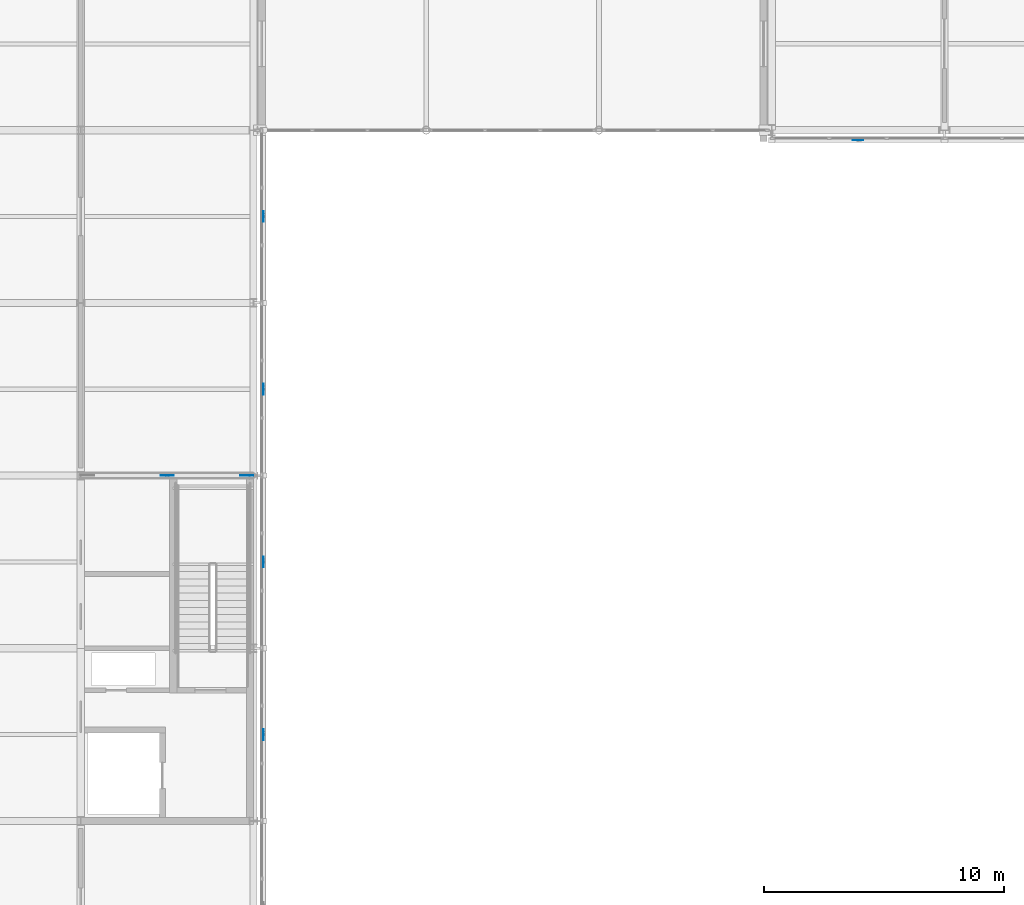
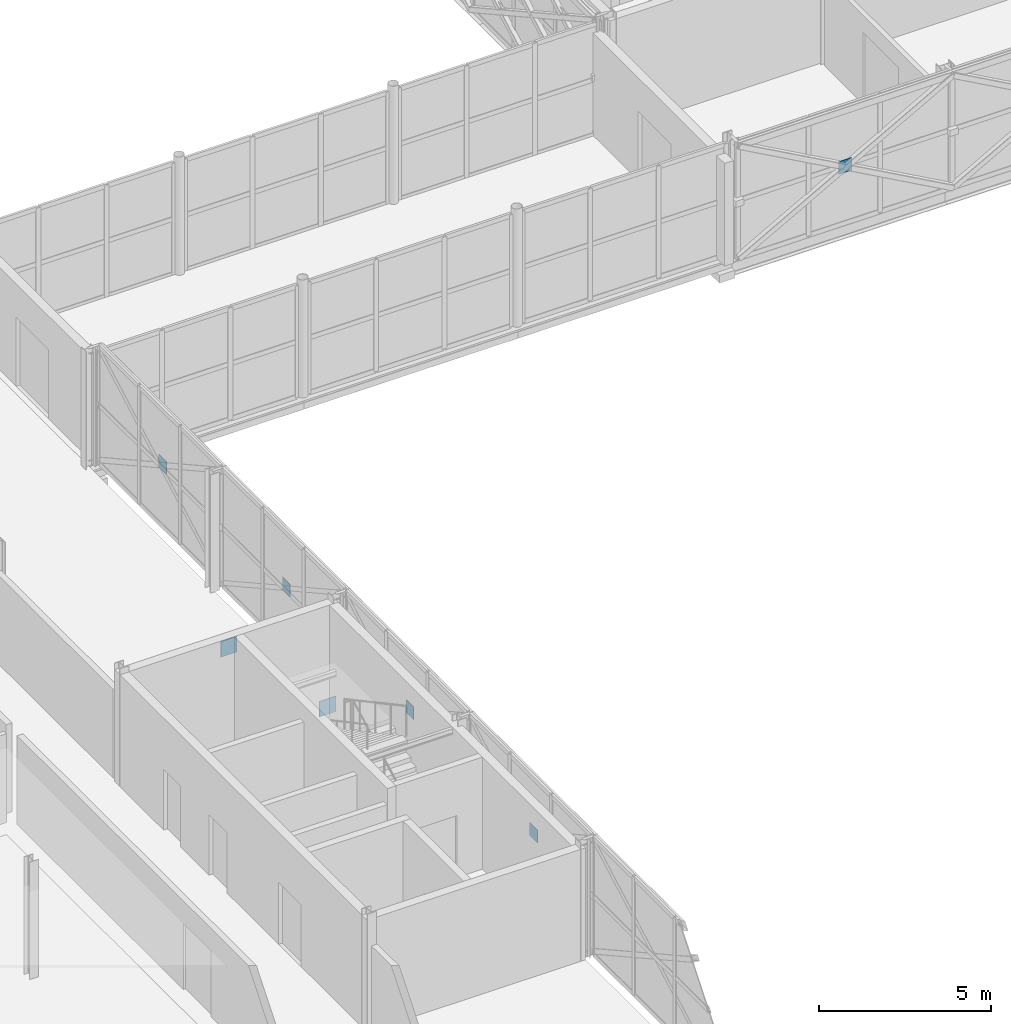
# One storey, part 106 of 146: 7 plates.
"""IFC4 building model written with IfcOpenShell, lengths in metres."""

from ifc_helpers import new_model, si_unit, direction, frame, origin, origin_2d, place, context, subcontext, project, spatial, rectangle, extrude, material, layer, layer_set, type_object, element, save


model = new_model("IFC4")

# Units and contexts
model_context = context("Model", 3, precision=1e-05, world=origin(), true_north=direction((0.0, 1.0)))
body_context = subcontext(model_context, "Body", "Model", "MODEL_VIEW")
ifc_project = project(units=[si_unit("LENGTHUNIT", "METRE"), si_unit("AREAUNIT", "SQUARE_METRE"), si_unit("VOLUMEUNIT", "CUBIC_METRE"), si_unit("PLANEANGLEUNIT", "RADIAN"), si_unit("MASSUNIT", "GRAM", prefix="KILO")], contexts=[model_context])

# Site, building, storey
site_placement = place(None, origin())
site = spatial("IfcSite", under=ifc_project, at=site_placement, CompositionType="ELEMENT")
building_placement = place(site_placement, origin())
building = spatial("IfcBuilding", under=site, at=building_placement, Name="Zlatovets Crest Museum", CompositionType="ELEMENT")
storey_placement = place(building_placement, frame((0.0, 0.0, 4.5)))
storey = spatial("IfcBuildingStorey", under=building, at=storey_placement, Name="L01", CompositionType="ELEMENT", Elevation=4.5)

# Plates
ifc_material = material(Name="Structural steel S355J2", Category="steel")
ifc_layer_1 = layer(ifc_material, 0.02490234375)
ifc_layer_set_1 = layer_set([ifc_layer_1], Name="Structural steel S355J2")
plate_type_1 = type_object("IfcPlateType", Name="Gusset_GP-01", PredefinedType="USERDEFINED", material=ifc_layer_set_1)
for number, where, z_axis, x_axis, name in (
    (1, (35.719970703125, 72.0, 0.0048828125), (0.0, 0.0, 1.0), (1.0, 0.0, 0.0), "V4 L01 Brace End Gusset Plate GP-01"),
    (2, (32.39990234375, 72.0, 3.294921875), (0.0, 0.0, 1.0), (1.0, 0.0, 0.0), "V4 L01 Brace End Gusset Plate GP-01"),
):
    element("IfcPlate", number, at=place(storey_placement, frame(where, z_axis=z_axis, x_axis=x_axis)), inside=storey, type_object=plate_type_1, Name=name, ObjectType="GUSSET", PredefinedType="USERDEFINED", context=body_context, shape_type="SweptSolid", body=[
        extrude(rectangle(XDim=0.550048828125, YDim=0.02490234375, at=origin_2d()), origin(), (0.0, 0.0, 1.0), 0.550048828125),
    ])
ifc_layer_2 = layer(ifc_material, 0.02001953125)
ifc_layer_set_2 = layer_set([ifc_layer_2], Name="Structural steel S355J2")
plate_type_2 = type_object("IfcPlateType", Name="Gusset_GP-04", PredefinedType="USERDEFINED", material=ifc_layer_set_2)
plate_placement = place(storey_placement, frame((61.199951171875, 85.97998046875, 1.875), z_axis=(0.0, 0.0, 1.0), x_axis=(1.0, 0.0, 0.0)))
element("IfcPlate", 3, at=plate_placement, inside=storey, type_object=plate_type_2, Name="X-Brace Crossing Node Gusset Plate GP-04", ObjectType="GUSSET", PredefinedType="USERDEFINED", context=body_context, shape_type="SweptSolid", body=[
    extrude(rectangle(XDim=0.449951171875, YDim=0.02001953125, at=origin_2d()), origin(), (0.0, 0.0, 1.0), 0.449951171875),
])
for number, where, z_axis, x_axis, name in (
    (4, (36.419921875, 61.199951171875, 1.875), (0.0, 0.0, 1.0), (1.0, 0.0, 0.0), "X-Brace Crossing Node Gusset Plate GP-04"),
    (5, (36.419921875, 68.39990234375, 1.875), (0.0, 0.0, 1.0), (1.0, 0.0, 0.0), "X-Brace Crossing Node Gusset Plate GP-04"),
    (6, (36.419921875, 75.60009765625, 1.875), (0.0, 0.0, 1.0), (1.0, 0.0, 0.0), "X-Brace Crossing Node Gusset Plate GP-04"),
    (7, (36.419921875, 82.800048828125, 1.875), (0.0, 0.0, 1.0), (1.0, 0.0, 0.0), "X-Brace Crossing Node Gusset Plate GP-04"),
):
    element("IfcPlate", number, at=place(storey_placement, frame(where, z_axis=z_axis, x_axis=x_axis)), inside=storey, type_object=plate_type_2, Name=name, ObjectType="GUSSET", PredefinedType="USERDEFINED", context=body_context, shape_type="SweptSolid", body=[
        extrude(rectangle(XDim=0.02001953125, YDim=0.449951171875, at=origin_2d()), origin(), (0.0, 0.0, 1.0), 0.449951171875),
    ])

save(model, "model.ifc")
